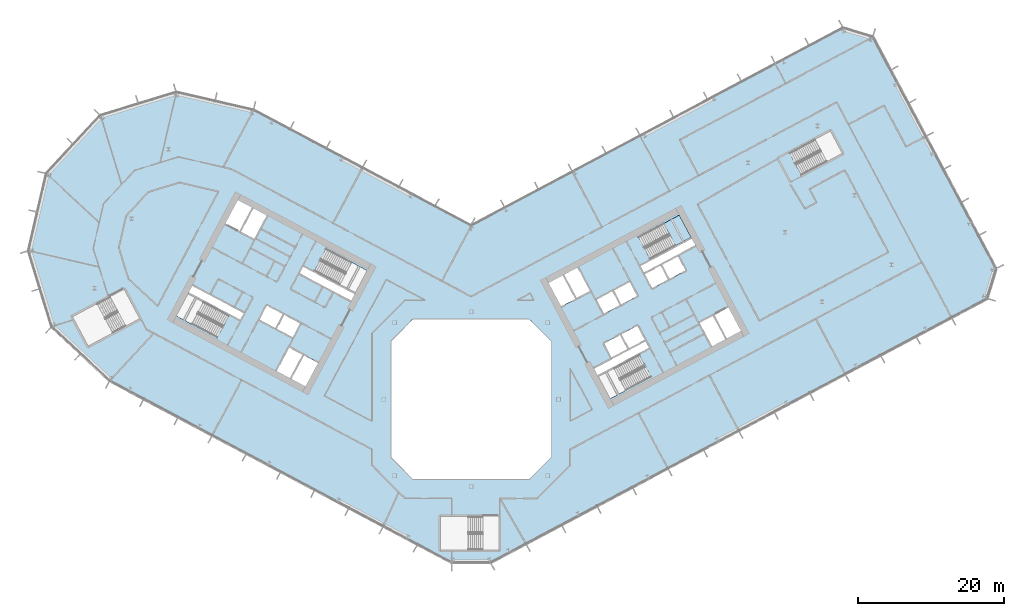
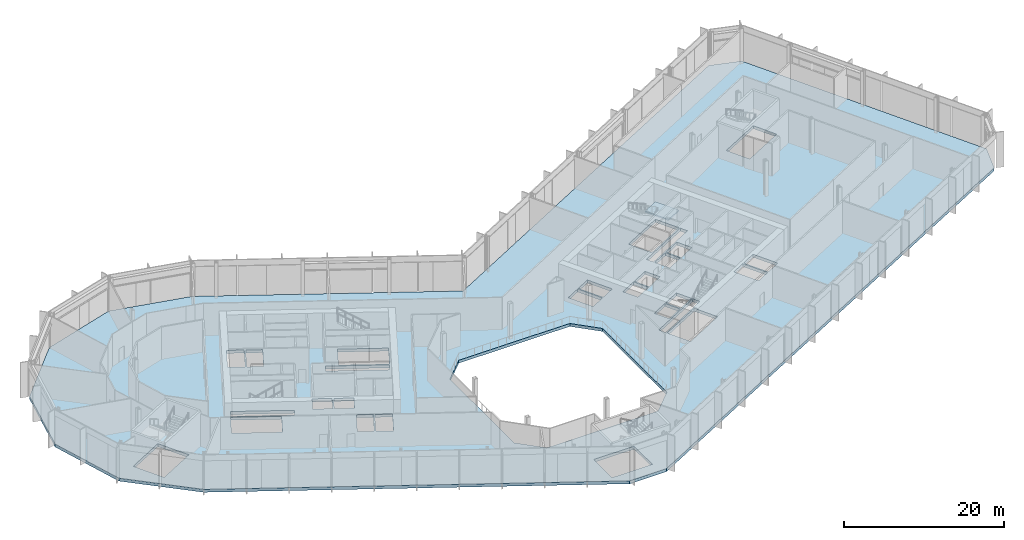
# One storey, part 10 of 30: 2 slabs, 1 element without a shape of its own.
"""IFC4 building model written with IfcOpenShell, lengths in metres."""

from ifc_helpers import new_model, si_unit, direction, frame, origin, place, context, subcontext, project, spatial, polyline, outline, extrude, material, layer, layer_set, type_object, element, aggregate, save


model = new_model("IFC4")

# Units and contexts
model_context = context("Model", 3, precision=1e-05, world=origin(), true_north=direction((0.0, 1.0)))
body_context = subcontext(model_context, "Body", "Model", "MODEL_VIEW")
ifc_project = project(units=[si_unit("LENGTHUNIT", "METRE"), si_unit("AREAUNIT", "SQUARE_METRE"), si_unit("VOLUMEUNIT", "CUBIC_METRE"), si_unit("PLANEANGLEUNIT", "RADIAN"), si_unit("MASSUNIT", "GRAM", prefix="KILO")], contexts=[model_context])

# Site, building, storey
site_placement = place(None, origin())
site = spatial("IfcSite", under=ifc_project, at=site_placement, CompositionType="ELEMENT")
building_placement = place(site_placement, origin())
building = spatial("IfcBuilding", under=site, at=building_placement, Name="Cormorant Relay Tower", CompositionType="ELEMENT")
storey_placement = place(building_placement, frame((0.0, 0.0, 44.60009765625)))
storey = spatial("IfcBuildingStorey", under=building, at=storey_placement, Name="L08", CompositionType="ELEMENT", Elevation=44.60009765625)

# Stair, slab
ifc_material_1 = material(Name="Concrete 40 MPa", Category="concrete")
stair_type = type_object("IfcStairType", Name="Exit stair 1500", PredefinedType="HALF_TURN_STAIR", material=ifc_material_1)
stair_placement = place(storey_placement, origin())
stair = element("IfcStair", 1, at=stair_placement, inside=storey, type_object=stair_type, Name="L08 Stair", PredefinedType="HALF_TURN_STAIR")
ifc_material_2 = material(Name="Concrete 40 MPa", Category="concrete")
ifc_layer_1 = layer(ifc_material_2, 0.199951171875)
ifc_layer_set_1 = layer_set([ifc_layer_1], Name="Exit stair landing 200")
slab_type_1 = type_object("IfcSlabType", Name="Exit stair landing 200", PredefinedType="LANDING", material=ifc_layer_set_1)
slab_1_placement = place(storey_placement, frame((0.0, 0.0, 2.5)))
slab_1 = element("IfcSlab", 2, at=slab_1_placement, type_object=slab_type_1, Name="B2 landing 1", PredefinedType="LANDING", context=body_context, shape_type="SweptSolid", body=[
    extrude(outline(polyline([(28.05322265625, 21.088623046875), (30.19873046875, 22.2294921875), (28.5791015625, 25.275634765625), (26.43359375, 24.134765625), (28.05322265625, 21.088623046875)])), origin(), (0.0, 0.0, 1.0), 0.199951171875),
])
aggregate(stair, [slab_1])

# Slab
ifc_material_3 = material(Name="Concrete 40 MPa", Category="concrete")
ifc_layer_2 = layer(ifc_material_3, 0.449951171875)
ifc_layer_set_2 = layer_set([ifc_layer_2], Name="Flat plate 450")
slab_type_2 = type_object("IfcSlabType", Name="Flat plate 450", PredefinedType="FLOOR", material=ifc_layer_set_2)
slab_2_placement = place(storey_placement, frame((0.0, 0.0, -0.4501953125)))
element("IfcSlab", 3, at=slab_2_placement, inside=storey, type_object=slab_type_2, Name="Floor slab L08", PredefinedType="FLOOR", context=body_context, shape_type="SweptSolid", body=[
    extrude(outline(polyline([(-60.7197265625, 20.393310546875), (-58.2744140625, 30.985107421875), (-50.86083984375, 38.935302734375), (-40.465576171875, 42.11328125), (-29.873779296875, 39.668212890625), (0.0, 23.783935546875), (51.064453125, 50.935302734375), (55.12158203125, 49.695068359375), (72.022705078125, 17.908935546875), (70.7822265625, 13.8515625), (2.648681640625, -22.37548828125), (-2.648681640625, -22.37548828125), (-49.591552734375, 2.584228515625), (-57.541748046875, 9.997802734375), (-60.7197265625, 20.393310546875)]), holes=[polyline([(11.0, -8.0), (11.0, 8.0), (8.0, 11.0), (-8.0, 11.0), (-11.0, 8.0), (-11.0, -8.0), (-8.0, -11.0), (8.0, -11.0), (11.0, -8.0)]), polyline([(-4.199951171875, -16.125), (-4.199951171875, -20.675048828125), (1.60009765625, -20.675048828125), (1.60009765625, -16.125), (-4.199951171875, -16.125)]), polyline([(-22.95458984375, 6.03271484375), (-24.668212890625, 2.81005859375), (-22.725830078125, 1.777099609375), (-21.01220703125, 5.0), (-23.04296875, 6.07958984375), (-22.95458984375, 6.03271484375)]), polyline([(-24.985595703125, 7.112548828125), (-26.69921875, 3.889892578125), (-24.844970703125, 2.90380859375), (-23.13134765625, 6.126708984375), (-23.04296875, 6.07958984375), (-24.985595703125, 7.112548828125)]), polyline([(-24.481201171875, 8.48681640625), (-23.448486328125, 10.42919921875), (-25.656005859375, 11.602783203125), (-26.688720703125, 9.660400390625), (-24.481201171875, 8.48681640625)]), polyline([(-49.57861328125, 14.0537109375), (-54.69970703125, 11.330810546875), (-52.563720703125, 7.3134765625), (-47.442626953125, 10.036376953125), (-49.57861328125, 14.0537109375)]), polyline([(-25.83251953125, 11.69677734375), (-28.039794921875, 12.870361328125), (-29.07275390625, 10.927978515625), (-26.865234375, 9.75439453125), (-25.83251953125, 11.69677734375)]), polyline([(-38.847900390625, 14.483154296875), (-40.46728515625, 11.43701171875), (-34.860595703125, 8.455810546875), (-33.240966796875, 11.502197265625), (-38.847900390625, 14.483154296875)]), polyline([(-38.260986328125, 15.5869140625), (-38.75390625, 14.659912109375), (-31.690185546875, 10.904052734375), (-31.197265625, 11.8310546875), (-38.260986328125, 15.5869140625)]), polyline([(14.3056640625, 13.779052734375), (12.592041015625, 17.001708984375), (10.649658203125, 15.968994140625), (12.36328125, 12.74609375), (14.39404296875, 13.825927734375), (14.3056640625, 13.779052734375)]), polyline([(16.33642578125, 14.85888671875), (14.622802734375, 18.08154296875), (12.768798828125, 17.095703125), (14.482421875, 13.872802734375), (14.39404296875, 13.825927734375), (16.33642578125, 14.85888671875)]), polyline([(-16.481689453125, 13.520263671875), (-15.989013671875, 14.447509765625), (-23.052490234375, 18.203125), (-23.54541015625, 17.276123046875), (-16.481689453125, 13.520263671875)]), polyline([(-21.501708984375, 17.605224609375), (-15.89501953125, 14.6240234375), (-14.275390625, 17.670166015625), (-19.882080078125, 20.6513671875), (-21.501708984375, 17.605224609375)]), polyline([(-31.611572265625, 22.980712890625), (-29.75732421875, 21.99462890625), (-28.043701171875, 25.217529296875), (-29.89794921875, 26.203369140625), (-31.611572265625, 22.980712890625)]), polyline([(-33.73046875, 24.107421875), (-31.7880859375, 23.074462890625), (-30.074462890625, 26.29736328125), (-32.01708984375, 27.330078125), (-33.73046875, 24.107421875)]), polyline([(23.087158203125, 6.10302734375), (17.48046875, 3.1220703125), (19.10009765625, 0.07568359375), (24.706787109375, 3.056884765625), (23.087158203125, 6.10302734375)]), polyline([(16.8935546875, 4.2255859375), (17.386474609375, 3.298583984375), (24.4501953125, 7.054443359375), (23.957275390625, 7.9814453125), (16.8935546875, 4.2255859375)]), polyline([(20.446533203125, 8.8330078125), (18.239013671875, 7.6591796875), (19.27197265625, 5.716796875), (21.479248046875, 6.890380859375), (20.446533203125, 8.8330078125)]), polyline([(20.623046875, 8.927001953125), (21.656005859375, 6.984375), (23.86328125, 8.158203125), (22.830322265625, 10.1005859375), (20.623046875, 8.927001953125)]), polyline([(33.197021484375, 11.478515625), (31.3427734375, 10.49267578125), (33.056396484375, 7.27001953125), (34.910400390625, 8.255859375), (33.197021484375, 11.478515625)]), polyline([(33.37353515625, 11.572509765625), (35.087158203125, 8.349609375), (37.029541015625, 9.382568359375), (35.31591796875, 12.605224609375), (33.37353515625, 11.572509765625)]), polyline([(17.19384765625, 13.67236328125), (18.2265625, 11.72998046875), (20.43408203125, 12.903564453125), (19.401123046875, 14.84619140625), (17.19384765625, 13.67236328125)]), polyline([(20.610595703125, 12.99755859375), (22.81787109375, 14.171142578125), (21.78515625, 16.113525390625), (19.57763671875, 14.93994140625), (20.610595703125, 12.99755859375)]), polyline([(26.023193359375, 18.3671875), (23.81591796875, 17.193359375), (24.8486328125, 15.2509765625), (27.05615234375, 16.424560546875), (26.023193359375, 18.3671875)]), polyline([(29.440185546875, 17.692138671875), (28.4072265625, 19.634765625), (26.19970703125, 18.4609375), (27.232666015625, 16.5185546875), (29.440185546875, 17.692138671875)]), polyline([(30.78564453125, 21.125732421875), (30.29248046875, 22.052978515625), (23.22900390625, 18.297119140625), (23.721923828125, 17.3701171875), (30.78564453125, 21.125732421875)]), polyline([(24.592041015625, 19.248291015625), (30.19873046875, 22.2294921875), (28.5791015625, 25.275634765625), (22.972412109375, 22.29443359375), (24.592041015625, 19.248291015625)]), polyline([(45.3349609375, 30.773681640625), (50.941650390625, 33.7548828125), (49.322021484375, 36.801025390625), (43.715087890625, 33.81982421875), (45.3349609375, 30.773681640625)])]), origin(), (0.0, 0.0, 1.0), 0.4501953125),
])

save(model, "model.ifc")
